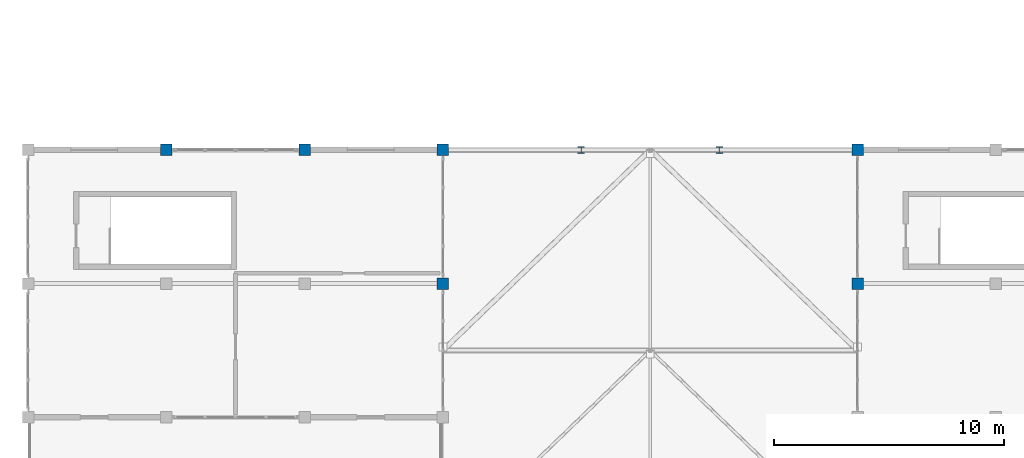
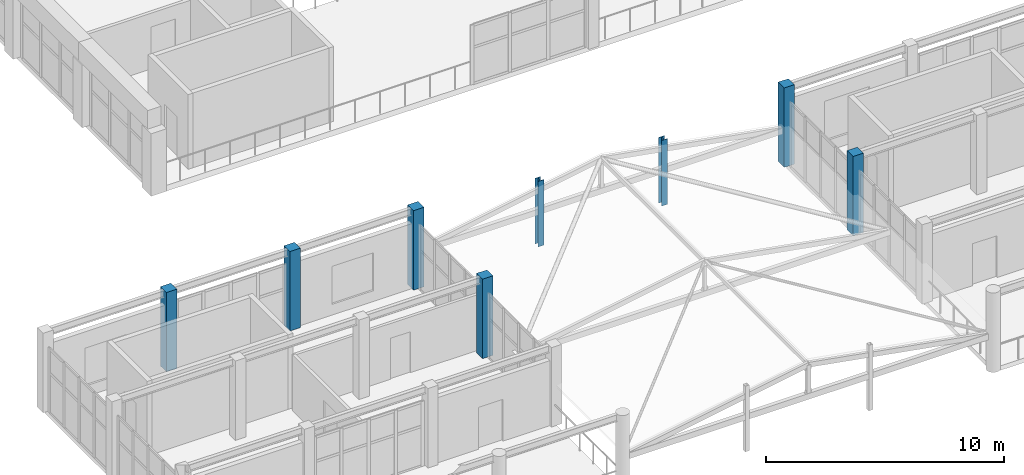
# One storey, part 3 of 128: 8 columns.
"""IFC4 building model written with IfcOpenShell, lengths in metres."""

from ifc_helpers import new_model, si_unit, direction, frame, origin, origin_2d, place, context, subcontext, project, spatial, rectangle, i_section, extrude, material, material_profile, profile_set, type_object, element, save


model = new_model("IFC4")

# Units and contexts
model_context = context("Model", 3, precision=1e-05, world=origin(), true_north=direction((0.0, 1.0)))
body_context = subcontext(model_context, "Body", "Model", "MODEL_VIEW")
ifc_project = project(units=[si_unit("LENGTHUNIT", "METRE"), si_unit("AREAUNIT", "SQUARE_METRE"), si_unit("VOLUMEUNIT", "CUBIC_METRE"), si_unit("PLANEANGLEUNIT", "RADIAN"), si_unit("MASSUNIT", "GRAM", prefix="KILO")], contexts=[model_context])

# Site, building, storey
site_placement = place(None, origin())
site = spatial("IfcSite", under=ifc_project, at=site_placement, CompositionType="ELEMENT")
building_placement = place(site_placement, origin())
building = spatial("IfcBuilding", under=site, at=building_placement, Name="Tanwirah Colonnade Gardens", CompositionType="ELEMENT")
storey_placement = place(building_placement, frame((0.0, 0.0, 4.760009765625)))
storey = spatial("IfcBuildingStorey", under=building, at=storey_placement, Name="L01", CompositionType="ELEMENT", Elevation=4.760009765625)

# Columns
ifc_material_1 = material(Name="Precast concrete C40/50", Category="concrete")
ifc_material_profile_1 = material_profile(ifc_material_1, rectangle(XDim=0.5, YDim=0.5, at=origin_2d()), Name="PC-COL 500x500")
ifc_profile_set_1 = profile_set([ifc_material_profile_1], Name="Precast concrete C40/50")
column_type_1 = type_object("IfcColumnType", Name="C-PC500", PredefinedType="COLUMN", material=ifc_profile_set_1)
for number, where, z_axis, x_axis, name in (
    (1, (72.0, 28.199951171875, 0.0), (0.0, 0.0, 1.0), (1.0, 0.0, 0.0), "Boulevard Shops W L01 Column 1.3"),
    (2, (78.0, 28.199951171875, 0.0), (0.0, 0.0, 1.0), (1.0, 0.0, 0.0), "Boulevard Shops W L01 Column 2.3"),
    (3, (84.0, 22.39990234375, 0.0), (0.0, 0.0, 1.0), (1.0, 0.0, 0.0), "Boulevard Shops W L01 Column 3.2"),
    (4, (84.0, 28.199951171875, 0.0), (0.0, 0.0, 1.0), (1.0, 0.0, 0.0), "Boulevard Shops W L01 Column 3.3"),
    (5, (102.0, 22.39990234375, 0.0), (0.0, 0.0, 1.0), (1.0, 0.0, 0.0), "Boulevard Shops E L01 Column 0.2"),
    (6, (102.0, 28.199951171875, 0.0), (0.0, 0.0, 1.0), (1.0, 0.0, 0.0), "Boulevard Shops E L01 Column 0.3"),
):
    element("IfcColumn", number, at=place(storey_placement, frame(where, z_axis=z_axis, x_axis=x_axis)), inside=storey, type_object=column_type_1, Name=name, PredefinedType="COLUMN", context=body_context, shape_type="SweptSolid", body=[
        extrude(rectangle(XDim=0.5, YDim=0.5, at=origin_2d()), origin(), (0.0, 0.0, 1.0), 4.080078125),
    ])
ifc_material_2 = material(Name="Steel S355", Category="steel")
ifc_material_profile_2 = material_profile(ifc_material_2, i_section(OverallWidth=0.280029296875, OverallDepth=0.27001953125, WebThickness=0.008056640625, FlangeThickness=0.012939453125, at=origin_2d()), Name="HEA 280")
ifc_profile_set_2 = profile_set([ifc_material_profile_2], Name="Steel S355")
column_type_2 = type_object("IfcColumnType", Name="SCOL-HEA280", PredefinedType="COLUMN", material=ifc_profile_set_2)
for number, where, z_axis, x_axis, name in (
    (7, (90.0, 28.199951171875, 0.0), (0.0, 0.0, 1.0), (1.0, 0.0, 0.0), "Forecourt Canopy Upper Steel Column 1.2"),
    (8, (96.0, 28.199951171875, 0.0), (0.0, 0.0, 1.0), (1.0, 0.0, 0.0), "Forecourt Canopy Upper Steel Column 2.2"),
):
    element("IfcColumn", number, at=place(storey_placement, frame(where, z_axis=z_axis, x_axis=x_axis)), inside=storey, type_object=column_type_2, Name=name, PredefinedType="COLUMN", context=body_context, shape_type="SweptSolid", body=[
        extrude(i_section(OverallWidth=0.280029296875, OverallDepth=0.27001953125, WebThickness=0.008056640625, FlangeThickness=0.012939453125, at=origin_2d()), origin(), (0.0, 0.0, 1.0), 3.369873046875),
    ])

save(model, "model.ifc")
